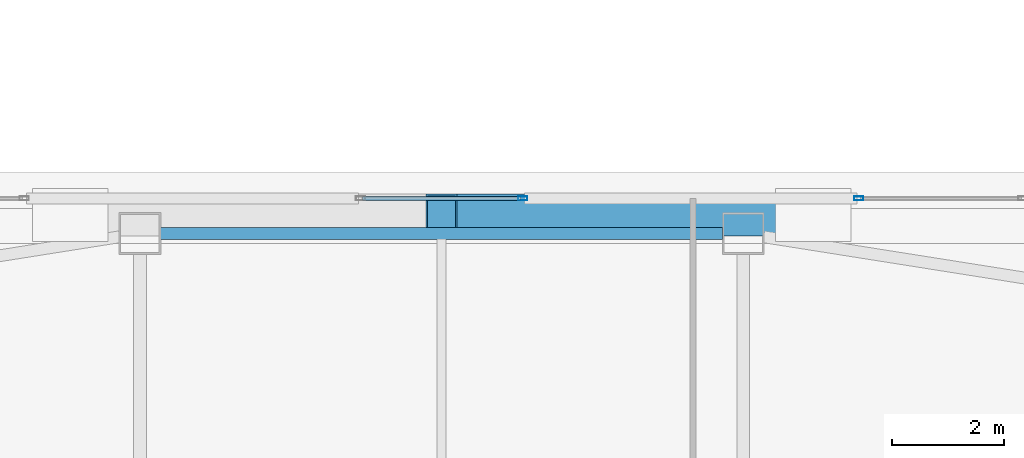
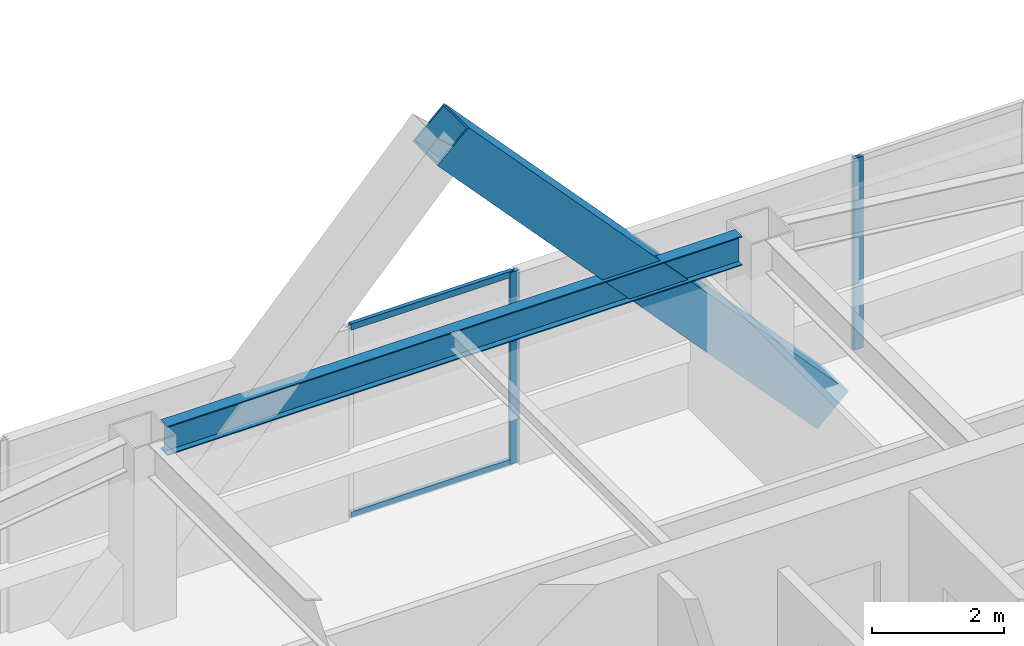
# One storey, part 15 of 24: 5 members, 1 beam, 2 elements without a shape of their own.
"""IFC4 building model written with IfcOpenShell, lengths in metres."""

from ifc_helpers import new_model, si_unit, direction, frame, origin, origin_2d, place, context, subcontext, project, spatial, hollow_rectangle, i_section, extrude, material, material_profile, profile_set, type_object, element, aggregate, save


model = new_model("IFC4")

# Units and contexts
model_context = context("Model", 3, precision=1e-05, world=origin(), true_north=direction((0.0, 1.0)))
body_context = subcontext(model_context, "Body", "Model", "MODEL_VIEW")
ifc_project = project(units=[si_unit("LENGTHUNIT", "METRE"), si_unit("AREAUNIT", "SQUARE_METRE"), si_unit("VOLUMEUNIT", "CUBIC_METRE"), si_unit("PLANEANGLEUNIT", "RADIAN"), si_unit("MASSUNIT", "GRAM", prefix="KILO")], contexts=[model_context])

# Site, building, storey
site_placement = place(None, origin())
site = spatial("IfcSite", under=ifc_project, at=site_placement, CompositionType="ELEMENT")
building_placement = place(site_placement, origin())
building = spatial("IfcBuilding", under=site, at=building_placement, Name="Tashvorn Skyway Center", CompositionType="ELEMENT")
storey_placement = place(building_placement, frame((0.0, 0.0, 270.5)))
storey = spatial("IfcBuildingStorey", under=building, at=storey_placement, Name="L73", CompositionType="ELEMENT", Elevation=270.5)

# Beam
ifc_material_1 = material(Name="Steel ASTM A992 Grade 50", Category="steel")
ifc_material_profile_1 = material_profile(ifc_material_1, i_section(OverallWidth=0.2109375, OverallDepth=0.5390625, WebThickness=0.01171875, FlangeThickness=0.018798828125, at=origin_2d()), Name="W21X73")
ifc_profile_set_1 = profile_set([ifc_material_profile_1], Name="Steel ASTM A992 Grade 50")
beam_type = type_object("IfcBeamType", Name="BM-SPANDREL-W21X73", PredefinedType="SPANDREL", material=ifc_profile_set_1)
beam_placement = place(storey_placement, frame((47.030029296875, 46.550048828125, 3.1005859375), z_axis=(-1.0, 0.0, 0.0), x_axis=(0.0, -1.0, 0.0)))
element("IfcBeam", 1, at=beam_placement, inside=storey, type_object=beam_type, Name="Tower 1 L73 Spandrel Beam 08", PredefinedType="SPANDREL", context=body_context, shape_type="SweptSolid", body=[
    extrude(i_section(OverallWidth=0.2109375, OverallDepth=0.5390625, WebThickness=0.01171875, FlangeThickness=0.018798828125, at=origin_2d()), origin(), (0.0, 0.0, 1.0), 10.06005859375),
])

# Curtain wall, member
ifc_material_2 = material(Name="Thermally broken bronze-anodized aluminium 6063-T6", Category="aluminium")
curtain_wall_type = type_object("IfcCurtainWallType", Name="CW-CW-Z5", PredefinedType="NOTDEFINED", material=ifc_material_2)
curtain_wall_1_placement = place(storey_placement, origin())
curtain_wall_1 = element("IfcCurtainWall", 2, at=curtain_wall_1_placement, inside=storey, type_object=curtain_wall_type, Name="Tower 1 L73 North Unitised Curtain Wall Glazing Group 2", PredefinedType="NOTDEFINED")
ifc_material_profile_2 = material_profile(ifc_material_2, hollow_rectangle(XDim=0.070068359375, YDim=0.1650390625, WallThickness=0.00390625, at=origin_2d()), Name="ALU-MULL-70x165")
ifc_profile_set_2 = profile_set([ifc_material_profile_2], Name="Thermally broken bronze-anodized aluminium 6063-T6")
member_type_1 = type_object("IfcMemberType", Name="CWM-CW-Z5", PredefinedType="MULLION", material=ifc_profile_set_2)
member_1_placement = place(storey_placement, frame((43.45166015625, 47.179931640625, 0.0), z_axis=(0.0, 0.0, 1.0), x_axis=(0.0, 1.0, 0.0)))
member_1 = element("IfcMember", 3, at=member_1_placement, type_object=member_type_1, Name="CW-Z5 mullion 2", PredefinedType="MULLION", context=body_context, shape_type="SweptSolid", body=[
    extrude(hollow_rectangle(XDim=0.070068359375, YDim=0.1650390625, WallThickness=0.00390625, at=origin_2d()), origin(), (0.0, 0.0, 1.0), 3.550048828125),
])

curtain_wall_2_placement = place(storey_placement, origin())
curtain_wall_2 = element("IfcCurtainWall", 4, at=curtain_wall_2_placement, inside=storey, type_object=curtain_wall_type, Name="Tower 1 L73 North Unitised Curtain Wall Glazing Group 3", PredefinedType="NOTDEFINED")
member_2_placement = place(storey_placement, frame((49.46826171875, 47.179931640625, 0.0), z_axis=(0.0, 0.0, 1.0), x_axis=(0.0, 1.0, 0.0)))
member_2 = element("IfcMember", 5, at=member_2_placement, type_object=member_type_1, Name="CW-Z5 mullion 1", PredefinedType="MULLION", context=body_context, shape_type="SweptSolid", body=[
    extrude(hollow_rectangle(XDim=0.070068359375, YDim=0.1650390625, WallThickness=0.00390625, at=origin_2d()), origin(), (0.0, 0.0, 1.0), 3.550048828125),
])
aggregate(curtain_wall_2, [member_2])

# Member
ifc_material_profile_3 = material_profile(ifc_material_2, hollow_rectangle(XDim=0.070068359375, YDim=0.114990234375, WallThickness=0.00390625, at=origin_2d()), Name="ALU-TRAN-70x115")
ifc_profile_set_3 = profile_set([ifc_material_profile_3], Name="Thermally broken bronze-anodized aluminium 6063-T6")
member_type_2 = type_object("IfcMemberType", Name="CWT-CW-Z5", PredefinedType="USERDEFINED", material=ifc_profile_set_3)
member_3_placement = place(storey_placement, frame((40.583251953125, 47.179931640625, 0.034912109375), z_axis=(1.0, 0.0, 0.0), x_axis=(0.0, 1.0, 0.0)))
member_3 = element("IfcMember", 6, at=member_3_placement, type_object=member_type_2, Name="CW-Z5 transom 1.1", ObjectType="TRANSOM", PredefinedType="USERDEFINED", context=body_context, shape_type="SweptSolid", body=[
    extrude(hollow_rectangle(XDim=0.070068359375, YDim=0.114990234375, WallThickness=0.00390625, at=origin_2d()), origin(), (0.0, 0.0, 1.0), 2.83349609375),
])

member_4_placement = place(storey_placement, frame((40.583251953125, 47.179931640625, 3.514892578125), z_axis=(1.0, 0.0, 0.0), x_axis=(0.0, 1.0, 0.0)))
member_4 = element("IfcMember", 7, at=member_4_placement, type_object=member_type_2, Name="CW-Z5 transom 1.2", ObjectType="TRANSOM", PredefinedType="USERDEFINED", context=body_context, shape_type="SweptSolid", body=[
    extrude(hollow_rectangle(XDim=0.070068359375, YDim=0.114990234375, WallThickness=0.00390625, at=origin_2d()), origin(), (0.0, 0.0, 1.0), 2.83349609375),
])

aggregate(curtain_wall_1, [member_1, member_3, member_4])

ifc_material_3 = material(Name="Steel ASTM A572 Grade 50", Category="steel")
ifc_material_profile_4 = material_profile(ifc_material_3, hollow_rectangle(XDim=0.75, YDim=0.75, WallThickness=0.031982421875, at=origin_2d()), Name="BOX750x750x32")
ifc_profile_set_4 = profile_set([ifc_material_profile_4], Name="Steel ASTM A572 Grade 50")
member_type_3 = type_object("IfcMemberType", Name="MEM-MB-750", PredefinedType="BRACE", material=ifc_profile_set_4)
member_5_placement = place(storey_placement, frame((48.64990234375, 46.8798828125, -0.449951171875), z_axis=(-0.678489061697, 0.0, 0.734610504388), x_axis=(0.0, -1.0, 0.0)))
element("IfcMember", 8, at=member_5_placement, inside=storey, type_object=member_type_3, Name="Tower 1 Zone 7 N Chevron Mega-Brace L2", PredefinedType="BRACE", context=body_context, shape_type="SweptSolid", body=[
    extrude(hollow_rectangle(XDim=0.75, YDim=0.75, WallThickness=0.031982421875, at=origin_2d()), origin(), (0.0, 0.0, 1.0), 9.801025390625),
])

save(model, "model.ifc")
